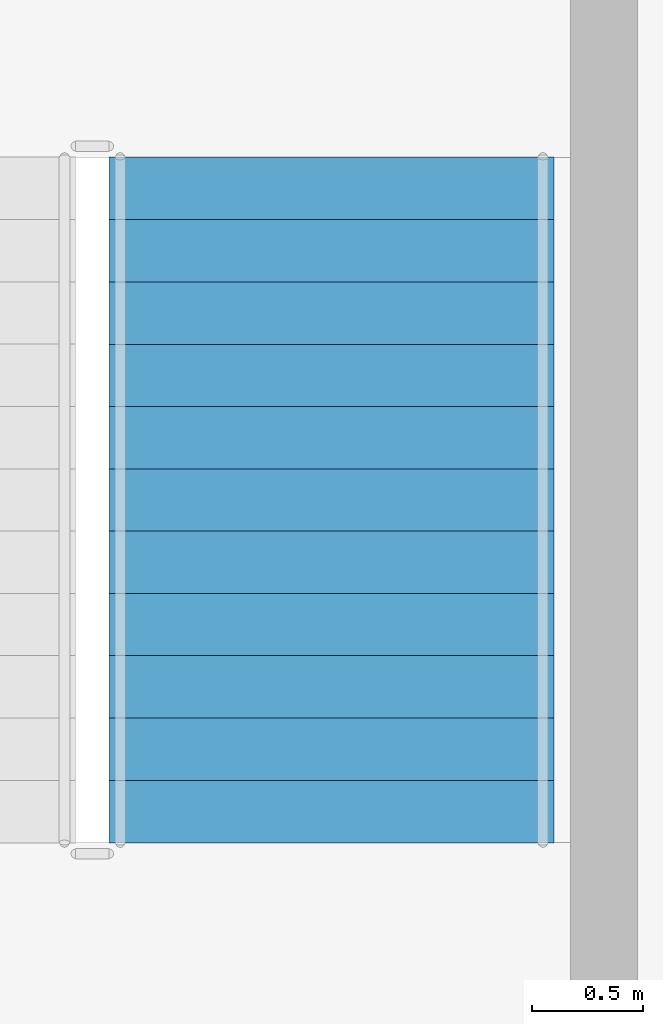
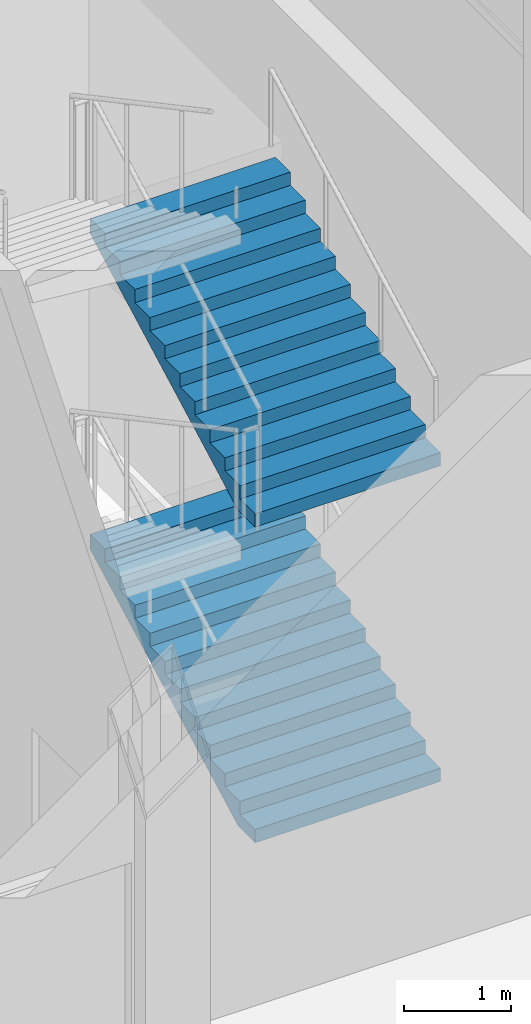
# One storey, part 13 of 15: 2 stair flights, 1 element without a shape of its own.
"""IFC4 building model written with IfcOpenShell, lengths in metres."""

from ifc_helpers import new_model, si_unit, direction, frame, origin, place, context, subcontext, project, spatial, polygons, material, type_object, element, aggregate, save


model = new_model("IFC4")

# Units and contexts
model_context = context("Model", 3, precision=1e-05, world=origin(), true_north=direction((0.0, 1.0)))
body_context = subcontext(model_context, "Body", "Model", "MODEL_VIEW")
ifc_project = project(units=[si_unit("LENGTHUNIT", "METRE"), si_unit("AREAUNIT", "SQUARE_METRE"), si_unit("VOLUMEUNIT", "CUBIC_METRE"), si_unit("PLANEANGLEUNIT", "RADIAN"), si_unit("MASSUNIT", "GRAM", prefix="KILO")], contexts=[model_context])

# Site, building, storey
site_placement = place(None, origin())
site = spatial("IfcSite", under=ifc_project, at=site_placement, CompositionType="ELEMENT")
building_placement = place(site_placement, origin())
building = spatial("IfcBuilding", under=site, at=building_placement, Name="Caravel Reach Hotel and Residences", CompositionType="ELEMENT")
storey_placement = place(building_placement, frame((0.0, 0.0, 305.60009765625)))
storey = spatial("IfcBuildingStorey", under=building, at=storey_placement, Name="L78", CompositionType="ELEMENT", Elevation=305.60009765625)

# Stair, stair flights
ifc_material_1 = material(Name="Concrete C40", Category="concrete")
stair_type = type_object("IfcStairType", Name="Core stair", PredefinedType="HALF_TURN_STAIR", material=ifc_material_1)
stair_placement = place(storey_placement, origin())
stair = element("IfcStair", 1, at=stair_placement, inside=storey, type_object=stair_type, Name="L78 Exit stair B", PredefinedType="HALF_TURN_STAIR")
ifc_material_2 = material(Name="Concrete C40", Category="concrete")
stair_flight_type = type_object("IfcStairFlightType", Name="Core stair flight", PredefinedType="STRAIGHT", material=ifc_material_2)
stair_flight_1_placement = place(storey_placement, frame((43.77490234375, 24.64990234375, 0.0), z_axis=(0.0, 0.0, 1.0), x_axis=(0.0, 1.0, 0.0)))
stair_flight_1 = element("IfcStairFlight", 2, at=stair_flight_1_placement, type_object=stair_flight_type, Name="ST-B flight 1", NumberOfRisers=12, NumberOfTreads=11, PredefinedType="STRAIGHT", RiserHeight=0.15, TreadLength=0.28, context=body_context, shape_type="Tessellation", body=[
    polygons([(0.3174408016601862, 1.0, 0.0), (0.3174408016601862, 0.6666666666666667, 0.0), (0.3174408016601862, 0.33333333333333337, 0.0), (0.3174408016601862, 0.0, 0.0), (0.3174408016601862, -0.33333333333333326, 0.0), (0.3174408016601862, -0.6666666666666667, 0.0), (0.3174408016601862, -1.0, 0.0), (3.081, 1.0, 1.479942427682043), (3.081, 0.6666666666666667, 1.479942427682043), (3.081, 0.33333333333333337, 1.479942427682043), (3.081, 0.0, 1.479942427682043), (3.081, -0.33333333333333326, 1.479942427682043), (3.081, -0.6666666666666667, 1.479942427682043), (3.081, -1.0, 1.479942427682043), (3.081, 1.0, 1.65), (3.081, 0.6666666666666667, 1.65), (3.081, 0.33333333333333337, 1.65), (3.081, 0.0, 1.65), (3.081, -0.33333333333333326, 1.65), (3.081, -0.6666666666666667, 1.65), (3.081, -1.0, 1.65), (2.8000000000000003, 1.0, 1.65), (2.8000000000000003, 0.6666666666666667, 1.65), (2.8000000000000003, 0.33333333333333337, 1.65), (2.8000000000000003, 0.0, 1.65), (2.8000000000000003, -0.33333333333333326, 1.65), (2.8000000000000003, -0.6666666666666667, 1.65), (2.8000000000000003, -1.0, 1.65), (2.8000000000000003, 1.0, 1.5), (2.8000000000000003, 0.6666666666666667, 1.5), (2.8000000000000003, 0.33333333333333337, 1.5), (2.8000000000000003, 0.0, 1.5), (2.8000000000000003, -0.33333333333333326, 1.5), (2.8000000000000003, -0.6666666666666667, 1.5), (2.8000000000000003, -1.0, 1.5), (2.5200000000000005, 1.0, 1.5), (2.5200000000000005, 0.6666666666666667, 1.5), (2.5200000000000005, 0.33333333333333337, 1.5), (2.5200000000000005, 0.0, 1.5), (2.5200000000000005, -0.33333333333333326, 1.5), (2.5200000000000005, -0.6666666666666667, 1.5), (2.5200000000000005, -1.0, 1.5), (2.5200000000000005, 1.0, 1.3499999999999999), (2.5200000000000005, 0.6666666666666667, 1.3499999999999999), (2.5200000000000005, 0.33333333333333337, 1.3499999999999999), (2.5200000000000005, 0.0, 1.3499999999999999), (2.5200000000000005, -0.33333333333333326, 1.3499999999999999), (2.5200000000000005, -0.6666666666666667, 1.3499999999999999), (2.5200000000000005, -1.0, 1.3499999999999999), (2.24, 1.0, 1.3499999999999999), (2.24, 0.6666666666666667, 1.3499999999999999), (2.24, 0.33333333333333337, 1.3499999999999999), (2.24, 0.0, 1.3499999999999999), (2.24, -0.33333333333333326, 1.3499999999999999), (2.24, -0.6666666666666667, 1.3499999999999999), (2.24, -1.0, 1.3499999999999999), (2.24, 1.0, 1.2), (2.24, 0.6666666666666667, 1.2), (2.24, 0.33333333333333337, 1.2), (2.24, 0.0, 1.2), (2.24, -0.33333333333333326, 1.2), (2.24, -0.6666666666666667, 1.2), (2.24, -1.0, 1.2), (1.9600000000000002, 1.0, 1.2), (1.9600000000000002, 0.6666666666666667, 1.2), (1.9600000000000002, 0.33333333333333337, 1.2), (1.9600000000000002, 0.0, 1.2), (1.9600000000000002, -0.33333333333333326, 1.2), (1.9600000000000002, -0.6666666666666667, 1.2), (1.9600000000000002, -1.0, 1.2), (1.9600000000000002, 1.0, 1.05), (1.9600000000000002, 0.6666666666666667, 1.05), (1.9600000000000002, 0.33333333333333337, 1.05), (1.9600000000000002, 0.0, 1.05), (1.9600000000000002, -0.33333333333333326, 1.05), (1.9600000000000002, -0.6666666666666667, 1.05), (1.9600000000000002, -1.0, 1.05), (1.6800000000000002, 1.0, 1.05), (1.6800000000000002, 0.6666666666666667, 1.05), (1.6800000000000002, 0.33333333333333337, 1.05), (1.6800000000000002, 0.0, 1.05), (1.6800000000000002, -0.33333333333333326, 1.05), (1.6800000000000002, -0.6666666666666667, 1.05), (1.6800000000000002, -1.0, 1.05), (1.6800000000000002, 1.0, 0.8999999999999999), (1.6800000000000002, 0.6666666666666667, 0.8999999999999999), (1.6800000000000002, 0.33333333333333337, 0.8999999999999999), (1.6800000000000002, 0.0, 0.8999999999999999), (1.6800000000000002, -0.33333333333333326, 0.8999999999999999), (1.6800000000000002, -0.6666666666666667, 0.8999999999999999), (1.6800000000000002, -1.0, 0.8999999999999999), (1.4000000000000001, 1.0, 0.8999999999999999), (1.4000000000000001, 0.6666666666666667, 0.8999999999999999), (1.4000000000000001, 0.33333333333333337, 0.8999999999999999), (1.4000000000000001, 0.0, 0.8999999999999999), (1.4000000000000001, -0.33333333333333326, 0.8999999999999999), (1.4000000000000001, -0.6666666666666667, 0.8999999999999999), (1.4000000000000001, -1.0, 0.8999999999999999), (1.4000000000000001, 1.0, 0.75), (1.4000000000000001, 0.6666666666666667, 0.75), (1.4000000000000001, 0.33333333333333337, 0.75), (1.4000000000000001, 0.0, 0.75), (1.4000000000000001, -0.33333333333333326, 0.75), (1.4000000000000001, -0.6666666666666667, 0.75), (1.4000000000000001, -1.0, 0.75), (1.12, 1.0, 0.75), (1.12, 0.6666666666666667, 0.75), (1.12, 0.33333333333333337, 0.75), (1.12, 0.0, 0.75), (1.12, -0.33333333333333326, 0.75), (1.12, -0.6666666666666667, 0.75), (1.12, -1.0, 0.75), (1.12, 1.0, 0.6), (1.12, 0.6666666666666667, 0.6), (1.12, 0.33333333333333337, 0.6), (1.12, 0.0, 0.6), (1.12, -0.33333333333333326, 0.6), (1.12, -0.6666666666666667, 0.6), (1.12, -1.0, 0.6), (0.8400000000000001, 1.0, 0.6), (0.8400000000000001, 0.6666666666666667, 0.6), (0.8400000000000001, 0.33333333333333337, 0.6), (0.8400000000000001, 0.0, 0.6), (0.8400000000000001, -0.33333333333333326, 0.6), (0.8400000000000001, -0.6666666666666667, 0.6), (0.8400000000000001, -1.0, 0.6), (0.8400000000000001, 1.0, 0.44999999999999996), (0.8400000000000001, 0.6666666666666667, 0.44999999999999996), (0.8400000000000001, 0.33333333333333337, 0.44999999999999996), (0.8400000000000001, 0.0, 0.44999999999999996), (0.8400000000000001, -0.33333333333333326, 0.44999999999999996), (0.8400000000000001, -0.6666666666666667, 0.44999999999999996), (0.8400000000000001, -1.0, 0.44999999999999996), (0.56, 1.0, 0.44999999999999996), (0.56, 0.6666666666666667, 0.44999999999999996), (0.56, 0.33333333333333337, 0.44999999999999996), (0.56, 0.0, 0.44999999999999996), (0.56, -0.33333333333333326, 0.44999999999999996), (0.56, -0.6666666666666667, 0.44999999999999996), (0.56, -1.0, 0.44999999999999996), (0.56, 1.0, 0.3), (0.56, 0.6666666666666667, 0.3), (0.56, 0.33333333333333337, 0.3), (0.56, 0.0, 0.3), (0.56, -0.33333333333333326, 0.3), (0.56, -0.6666666666666667, 0.3), (0.56, -1.0, 0.3), (0.28, 1.0, 0.3), (0.28, 0.6666666666666667, 0.3), (0.28, 0.33333333333333337, 0.3), (0.28, 0.0, 0.3), (0.28, -0.33333333333333326, 0.3), (0.28, -0.6666666666666667, 0.3), (0.28, -1.0, 0.3), (0.28, 1.0, 0.15), (0.28, 0.6666666666666667, 0.15), (0.28, 0.33333333333333337, 0.15), (0.28, 0.0, 0.15), (0.28, -0.33333333333333326, 0.15), (0.28, -0.6666666666666667, 0.15), (0.28, -1.0, 0.15), (-0.001, 1.0, 0.15), (-0.001, 0.6666666666666667, 0.15), (-0.001, 0.33333333333333337, 0.15), (-0.001, 0.0, 0.15), (-0.001, -0.33333333333333326, 0.15), (-0.001, -0.6666666666666667, 0.15), (-0.001, -1.0, 0.15), (-0.001, 1.0, 0.0), (-0.001, 0.6666666666666667, 0.0), (-0.001, 0.33333333333333337, 0.0), (-0.001, 0.0, 0.0), (-0.001, -0.33333333333333326, 0.0), (-0.001, -0.6666666666666667, 0.0), (-0.001, -1.0, 0.0)], [[[169, 162, 155, 148, 141, 134, 127, 120, 113, 106, 99, 92, 85, 78, 71, 64, 57, 50, 43, 36, 29, 22, 15, 8, 1]], [[7, 14, 21, 28, 35, 42, 49, 56, 63, 70, 77, 84, 91, 98, 105, 112, 119, 126, 133, 140, 147, 154, 161, 168, 175]], [[1, 8, 9, 2]], [[2, 9, 10, 3]], [[3, 10, 11, 4]], [[4, 11, 12, 5]], [[5, 12, 13, 6]], [[6, 13, 14, 7]], [[8, 15, 16, 9]], [[9, 16, 17, 10]], [[10, 17, 18, 11]], [[11, 18, 19, 12]], [[12, 19, 20, 13]], [[13, 20, 21, 14]], [[15, 22, 23, 16]], [[16, 23, 24, 17]], [[17, 24, 25, 18]], [[18, 25, 26, 19]], [[19, 26, 27, 20]], [[20, 27, 28, 21]], [[22, 29, 30, 23]], [[23, 30, 31, 24]], [[24, 31, 32, 25]], [[25, 32, 33, 26]], [[26, 33, 34, 27]], [[27, 34, 35, 28]], [[29, 36, 37, 30]], [[30, 37, 38, 31]], [[31, 38, 39, 32]], [[32, 39, 40, 33]], [[33, 40, 41, 34]], [[34, 41, 42, 35]], [[36, 43, 44, 37]], [[37, 44, 45, 38]], [[38, 45, 46, 39]], [[39, 46, 47, 40]], [[40, 47, 48, 41]], [[41, 48, 49, 42]], [[43, 50, 51, 44]], [[44, 51, 52, 45]], [[45, 52, 53, 46]], [[46, 53, 54, 47]], [[47, 54, 55, 48]], [[48, 55, 56, 49]], [[50, 57, 58, 51]], [[51, 58, 59, 52]], [[52, 59, 60, 53]], [[53, 60, 61, 54]], [[54, 61, 62, 55]], [[55, 62, 63, 56]], [[57, 64, 65, 58]], [[58, 65, 66, 59]], [[59, 66, 67, 60]], [[60, 67, 68, 61]], [[61, 68, 69, 62]], [[62, 69, 70, 63]], [[64, 71, 72, 65]], [[65, 72, 73, 66]], [[66, 73, 74, 67]], [[67, 74, 75, 68]], [[68, 75, 76, 69]], [[69, 76, 77, 70]], [[71, 78, 79, 72]], [[72, 79, 80, 73]], [[73, 80, 81, 74]], [[74, 81, 82, 75]], [[75, 82, 83, 76]], [[76, 83, 84, 77]], [[78, 85, 86, 79]], [[79, 86, 87, 80]], [[80, 87, 88, 81]], [[81, 88, 89, 82]], [[82, 89, 90, 83]], [[83, 90, 91, 84]], [[85, 92, 93, 86]], [[86, 93, 94, 87]], [[87, 94, 95, 88]], [[88, 95, 96, 89]], [[89, 96, 97, 90]], [[90, 97, 98, 91]], [[92, 99, 100, 93]], [[93, 100, 101, 94]], [[94, 101, 102, 95]], [[95, 102, 103, 96]], [[96, 103, 104, 97]], [[97, 104, 105, 98]], [[99, 106, 107, 100]], [[100, 107, 108, 101]], [[101, 108, 109, 102]], [[102, 109, 110, 103]], [[103, 110, 111, 104]], [[104, 111, 112, 105]], [[106, 113, 114, 107]], [[107, 114, 115, 108]], [[108, 115, 116, 109]], [[109, 116, 117, 110]], [[110, 117, 118, 111]], [[111, 118, 119, 112]], [[113, 120, 121, 114]], [[114, 121, 122, 115]], [[115, 122, 123, 116]], [[116, 123, 124, 117]], [[117, 124, 125, 118]], [[118, 125, 126, 119]], [[120, 127, 128, 121]], [[121, 128, 129, 122]], [[122, 129, 130, 123]], [[123, 130, 131, 124]], [[124, 131, 132, 125]], [[125, 132, 133, 126]], [[127, 134, 135, 128]], [[128, 135, 136, 129]], [[129, 136, 137, 130]], [[130, 137, 138, 131]], [[131, 138, 139, 132]], [[132, 139, 140, 133]], [[134, 141, 142, 135]], [[135, 142, 143, 136]], [[136, 143, 144, 137]], [[137, 144, 145, 138]], [[138, 145, 146, 139]], [[139, 146, 147, 140]], [[141, 148, 149, 142]], [[142, 149, 150, 143]], [[143, 150, 151, 144]], [[144, 151, 152, 145]], [[145, 152, 153, 146]], [[146, 153, 154, 147]], [[148, 155, 156, 149]], [[149, 156, 157, 150]], [[150, 157, 158, 151]], [[151, 158, 159, 152]], [[152, 159, 160, 153]], [[153, 160, 161, 154]], [[155, 162, 163, 156]], [[156, 163, 164, 157]], [[157, 164, 165, 158]], [[158, 165, 166, 159]], [[159, 166, 167, 160]], [[160, 167, 168, 161]], [[162, 169, 170, 163]], [[163, 170, 171, 164]], [[164, 171, 172, 165]], [[165, 172, 173, 166]], [[166, 173, 174, 167]], [[167, 174, 175, 168]], [[169, 1, 2, 170]], [[170, 2, 3, 171]], [[171, 3, 4, 172]], [[172, 4, 5, 173]], [[173, 5, 6, 174]], [[174, 6, 7, 175]]], closed=True),
])
stair_flight_2_placement = place(storey_placement, frame((43.77490234375, 24.64990234375, 3.599853515625), z_axis=(0.0, 0.0, 1.0), x_axis=(0.0, 1.0, 0.0)))
stair_flight_2 = element("IfcStairFlight", 3, at=stair_flight_2_placement, type_object=stair_flight_type, Name="ST-B flight 3", NumberOfRisers=12, NumberOfTreads=11, PredefinedType="STRAIGHT", RiserHeight=0.15, TreadLength=0.28, context=body_context, shape_type="Tessellation", body=[
    polygons([(0.3174408016601862, 1.0, 0.0), (0.3174408016601862, 0.6666666666666667, 0.0), (0.3174408016601862, 0.33333333333333337, 0.0), (0.3174408016601862, 0.0, 0.0), (0.3174408016601862, -0.33333333333333326, 0.0), (0.3174408016601862, -0.6666666666666667, 0.0), (0.3174408016601862, -1.0, 0.0), (3.081, 1.0, 1.479942427682043), (3.081, 0.6666666666666667, 1.479942427682043), (3.081, 0.33333333333333337, 1.479942427682043), (3.081, 0.0, 1.479942427682043), (3.081, -0.33333333333333326, 1.479942427682043), (3.081, -0.6666666666666667, 1.479942427682043), (3.081, -1.0, 1.479942427682043), (3.081, 1.0, 1.65), (3.081, 0.6666666666666667, 1.65), (3.081, 0.33333333333333337, 1.65), (3.081, 0.0, 1.65), (3.081, -0.33333333333333326, 1.65), (3.081, -0.6666666666666667, 1.65), (3.081, -1.0, 1.65), (2.8000000000000003, 1.0, 1.65), (2.8000000000000003, 0.6666666666666667, 1.65), (2.8000000000000003, 0.33333333333333337, 1.65), (2.8000000000000003, 0.0, 1.65), (2.8000000000000003, -0.33333333333333326, 1.65), (2.8000000000000003, -0.6666666666666667, 1.65), (2.8000000000000003, -1.0, 1.65), (2.8000000000000003, 1.0, 1.5), (2.8000000000000003, 0.6666666666666667, 1.5), (2.8000000000000003, 0.33333333333333337, 1.5), (2.8000000000000003, 0.0, 1.5), (2.8000000000000003, -0.33333333333333326, 1.5), (2.8000000000000003, -0.6666666666666667, 1.5), (2.8000000000000003, -1.0, 1.5), (2.5200000000000005, 1.0, 1.5), (2.5200000000000005, 0.6666666666666667, 1.5), (2.5200000000000005, 0.33333333333333337, 1.5), (2.5200000000000005, 0.0, 1.5), (2.5200000000000005, -0.33333333333333326, 1.5), (2.5200000000000005, -0.6666666666666667, 1.5), (2.5200000000000005, -1.0, 1.5), (2.5200000000000005, 1.0, 1.3499999999999999), (2.5200000000000005, 0.6666666666666667, 1.3499999999999999), (2.5200000000000005, 0.33333333333333337, 1.3499999999999999), (2.5200000000000005, 0.0, 1.3499999999999999), (2.5200000000000005, -0.33333333333333326, 1.3499999999999999), (2.5200000000000005, -0.6666666666666667, 1.3499999999999999), (2.5200000000000005, -1.0, 1.3499999999999999), (2.24, 1.0, 1.3499999999999999), (2.24, 0.6666666666666667, 1.3499999999999999), (2.24, 0.33333333333333337, 1.3499999999999999), (2.24, 0.0, 1.3499999999999999), (2.24, -0.33333333333333326, 1.3499999999999999), (2.24, -0.6666666666666667, 1.3499999999999999), (2.24, -1.0, 1.3499999999999999), (2.24, 1.0, 1.2), (2.24, 0.6666666666666667, 1.2), (2.24, 0.33333333333333337, 1.2), (2.24, 0.0, 1.2), (2.24, -0.33333333333333326, 1.2), (2.24, -0.6666666666666667, 1.2), (2.24, -1.0, 1.2), (1.9600000000000002, 1.0, 1.2), (1.9600000000000002, 0.6666666666666667, 1.2), (1.9600000000000002, 0.33333333333333337, 1.2), (1.9600000000000002, 0.0, 1.2), (1.9600000000000002, -0.33333333333333326, 1.2), (1.9600000000000002, -0.6666666666666667, 1.2), (1.9600000000000002, -1.0, 1.2), (1.9600000000000002, 1.0, 1.05), (1.9600000000000002, 0.6666666666666667, 1.05), (1.9600000000000002, 0.33333333333333337, 1.05), (1.9600000000000002, 0.0, 1.05), (1.9600000000000002, -0.33333333333333326, 1.05), (1.9600000000000002, -0.6666666666666667, 1.05), (1.9600000000000002, -1.0, 1.05), (1.6800000000000002, 1.0, 1.05), (1.6800000000000002, 0.6666666666666667, 1.05), (1.6800000000000002, 0.33333333333333337, 1.05), (1.6800000000000002, 0.0, 1.05), (1.6800000000000002, -0.33333333333333326, 1.05), (1.6800000000000002, -0.6666666666666667, 1.05), (1.6800000000000002, -1.0, 1.05), (1.6800000000000002, 1.0, 0.8999999999999999), (1.6800000000000002, 0.6666666666666667, 0.8999999999999999), (1.6800000000000002, 0.33333333333333337, 0.8999999999999999), (1.6800000000000002, 0.0, 0.8999999999999999), (1.6800000000000002, -0.33333333333333326, 0.8999999999999999), (1.6800000000000002, -0.6666666666666667, 0.8999999999999999), (1.6800000000000002, -1.0, 0.8999999999999999), (1.4000000000000001, 1.0, 0.8999999999999999), (1.4000000000000001, 0.6666666666666667, 0.8999999999999999), (1.4000000000000001, 0.33333333333333337, 0.8999999999999999), (1.4000000000000001, 0.0, 0.8999999999999999), (1.4000000000000001, -0.33333333333333326, 0.8999999999999999), (1.4000000000000001, -0.6666666666666667, 0.8999999999999999), (1.4000000000000001, -1.0, 0.8999999999999999), (1.4000000000000001, 1.0, 0.75), (1.4000000000000001, 0.6666666666666667, 0.75), (1.4000000000000001, 0.33333333333333337, 0.75), (1.4000000000000001, 0.0, 0.75), (1.4000000000000001, -0.33333333333333326, 0.75), (1.4000000000000001, -0.6666666666666667, 0.75), (1.4000000000000001, -1.0, 0.75), (1.12, 1.0, 0.75), (1.12, 0.6666666666666667, 0.75), (1.12, 0.33333333333333337, 0.75), (1.12, 0.0, 0.75), (1.12, -0.33333333333333326, 0.75), (1.12, -0.6666666666666667, 0.75), (1.12, -1.0, 0.75), (1.12, 1.0, 0.6), (1.12, 0.6666666666666667, 0.6), (1.12, 0.33333333333333337, 0.6), (1.12, 0.0, 0.6), (1.12, -0.33333333333333326, 0.6), (1.12, -0.6666666666666667, 0.6), (1.12, -1.0, 0.6), (0.8400000000000001, 1.0, 0.6), (0.8400000000000001, 0.6666666666666667, 0.6), (0.8400000000000001, 0.33333333333333337, 0.6), (0.8400000000000001, 0.0, 0.6), (0.8400000000000001, -0.33333333333333326, 0.6), (0.8400000000000001, -0.6666666666666667, 0.6), (0.8400000000000001, -1.0, 0.6), (0.8400000000000001, 1.0, 0.44999999999999996), (0.8400000000000001, 0.6666666666666667, 0.44999999999999996), (0.8400000000000001, 0.33333333333333337, 0.44999999999999996), (0.8400000000000001, 0.0, 0.44999999999999996), (0.8400000000000001, -0.33333333333333326, 0.44999999999999996), (0.8400000000000001, -0.6666666666666667, 0.44999999999999996), (0.8400000000000001, -1.0, 0.44999999999999996), (0.56, 1.0, 0.44999999999999996), (0.56, 0.6666666666666667, 0.44999999999999996), (0.56, 0.33333333333333337, 0.44999999999999996), (0.56, 0.0, 0.44999999999999996), (0.56, -0.33333333333333326, 0.44999999999999996), (0.56, -0.6666666666666667, 0.44999999999999996), (0.56, -1.0, 0.44999999999999996), (0.56, 1.0, 0.3), (0.56, 0.6666666666666667, 0.3), (0.56, 0.33333333333333337, 0.3), (0.56, 0.0, 0.3), (0.56, -0.33333333333333326, 0.3), (0.56, -0.6666666666666667, 0.3), (0.56, -1.0, 0.3), (0.28, 1.0, 0.3), (0.28, 0.6666666666666667, 0.3), (0.28, 0.33333333333333337, 0.3), (0.28, 0.0, 0.3), (0.28, -0.33333333333333326, 0.3), (0.28, -0.6666666666666667, 0.3), (0.28, -1.0, 0.3), (0.28, 1.0, 0.15), (0.28, 0.6666666666666667, 0.15), (0.28, 0.33333333333333337, 0.15), (0.28, 0.0, 0.15), (0.28, -0.33333333333333326, 0.15), (0.28, -0.6666666666666667, 0.15), (0.28, -1.0, 0.15), (-0.001, 1.0, 0.15), (-0.001, 0.6666666666666667, 0.15), (-0.001, 0.33333333333333337, 0.15), (-0.001, 0.0, 0.15), (-0.001, -0.33333333333333326, 0.15), (-0.001, -0.6666666666666667, 0.15), (-0.001, -1.0, 0.15), (-0.001, 1.0, 0.0), (-0.001, 0.6666666666666667, 0.0), (-0.001, 0.33333333333333337, 0.0), (-0.001, 0.0, 0.0), (-0.001, -0.33333333333333326, 0.0), (-0.001, -0.6666666666666667, 0.0), (-0.001, -1.0, 0.0)], [[[169, 162, 155, 148, 141, 134, 127, 120, 113, 106, 99, 92, 85, 78, 71, 64, 57, 50, 43, 36, 29, 22, 15, 8, 1]], [[7, 14, 21, 28, 35, 42, 49, 56, 63, 70, 77, 84, 91, 98, 105, 112, 119, 126, 133, 140, 147, 154, 161, 168, 175]], [[1, 8, 9, 2]], [[2, 9, 10, 3]], [[3, 10, 11, 4]], [[4, 11, 12, 5]], [[5, 12, 13, 6]], [[6, 13, 14, 7]], [[8, 15, 16, 9]], [[9, 16, 17, 10]], [[10, 17, 18, 11]], [[11, 18, 19, 12]], [[12, 19, 20, 13]], [[13, 20, 21, 14]], [[15, 22, 23, 16]], [[16, 23, 24, 17]], [[17, 24, 25, 18]], [[18, 25, 26, 19]], [[19, 26, 27, 20]], [[20, 27, 28, 21]], [[22, 29, 30, 23]], [[23, 30, 31, 24]], [[24, 31, 32, 25]], [[25, 32, 33, 26]], [[26, 33, 34, 27]], [[27, 34, 35, 28]], [[29, 36, 37, 30]], [[30, 37, 38, 31]], [[31, 38, 39, 32]], [[32, 39, 40, 33]], [[33, 40, 41, 34]], [[34, 41, 42, 35]], [[36, 43, 44, 37]], [[37, 44, 45, 38]], [[38, 45, 46, 39]], [[39, 46, 47, 40]], [[40, 47, 48, 41]], [[41, 48, 49, 42]], [[43, 50, 51, 44]], [[44, 51, 52, 45]], [[45, 52, 53, 46]], [[46, 53, 54, 47]], [[47, 54, 55, 48]], [[48, 55, 56, 49]], [[50, 57, 58, 51]], [[51, 58, 59, 52]], [[52, 59, 60, 53]], [[53, 60, 61, 54]], [[54, 61, 62, 55]], [[55, 62, 63, 56]], [[57, 64, 65, 58]], [[58, 65, 66, 59]], [[59, 66, 67, 60]], [[60, 67, 68, 61]], [[61, 68, 69, 62]], [[62, 69, 70, 63]], [[64, 71, 72, 65]], [[65, 72, 73, 66]], [[66, 73, 74, 67]], [[67, 74, 75, 68]], [[68, 75, 76, 69]], [[69, 76, 77, 70]], [[71, 78, 79, 72]], [[72, 79, 80, 73]], [[73, 80, 81, 74]], [[74, 81, 82, 75]], [[75, 82, 83, 76]], [[76, 83, 84, 77]], [[78, 85, 86, 79]], [[79, 86, 87, 80]], [[80, 87, 88, 81]], [[81, 88, 89, 82]], [[82, 89, 90, 83]], [[83, 90, 91, 84]], [[85, 92, 93, 86]], [[86, 93, 94, 87]], [[87, 94, 95, 88]], [[88, 95, 96, 89]], [[89, 96, 97, 90]], [[90, 97, 98, 91]], [[92, 99, 100, 93]], [[93, 100, 101, 94]], [[94, 101, 102, 95]], [[95, 102, 103, 96]], [[96, 103, 104, 97]], [[97, 104, 105, 98]], [[99, 106, 107, 100]], [[100, 107, 108, 101]], [[101, 108, 109, 102]], [[102, 109, 110, 103]], [[103, 110, 111, 104]], [[104, 111, 112, 105]], [[106, 113, 114, 107]], [[107, 114, 115, 108]], [[108, 115, 116, 109]], [[109, 116, 117, 110]], [[110, 117, 118, 111]], [[111, 118, 119, 112]], [[113, 120, 121, 114]], [[114, 121, 122, 115]], [[115, 122, 123, 116]], [[116, 123, 124, 117]], [[117, 124, 125, 118]], [[118, 125, 126, 119]], [[120, 127, 128, 121]], [[121, 128, 129, 122]], [[122, 129, 130, 123]], [[123, 130, 131, 124]], [[124, 131, 132, 125]], [[125, 132, 133, 126]], [[127, 134, 135, 128]], [[128, 135, 136, 129]], [[129, 136, 137, 130]], [[130, 137, 138, 131]], [[131, 138, 139, 132]], [[132, 139, 140, 133]], [[134, 141, 142, 135]], [[135, 142, 143, 136]], [[136, 143, 144, 137]], [[137, 144, 145, 138]], [[138, 145, 146, 139]], [[139, 146, 147, 140]], [[141, 148, 149, 142]], [[142, 149, 150, 143]], [[143, 150, 151, 144]], [[144, 151, 152, 145]], [[145, 152, 153, 146]], [[146, 153, 154, 147]], [[148, 155, 156, 149]], [[149, 156, 157, 150]], [[150, 157, 158, 151]], [[151, 158, 159, 152]], [[152, 159, 160, 153]], [[153, 160, 161, 154]], [[155, 162, 163, 156]], [[156, 163, 164, 157]], [[157, 164, 165, 158]], [[158, 165, 166, 159]], [[159, 166, 167, 160]], [[160, 167, 168, 161]], [[162, 169, 170, 163]], [[163, 170, 171, 164]], [[164, 171, 172, 165]], [[165, 172, 173, 166]], [[166, 173, 174, 167]], [[167, 174, 175, 168]], [[169, 1, 2, 170]], [[170, 2, 3, 171]], [[171, 3, 4, 172]], [[172, 4, 5, 173]], [[173, 5, 6, 174]], [[174, 6, 7, 175]]], closed=True),
])
aggregate(stair, [stair_flight_1, stair_flight_2])

save(model, "model.ifc")
